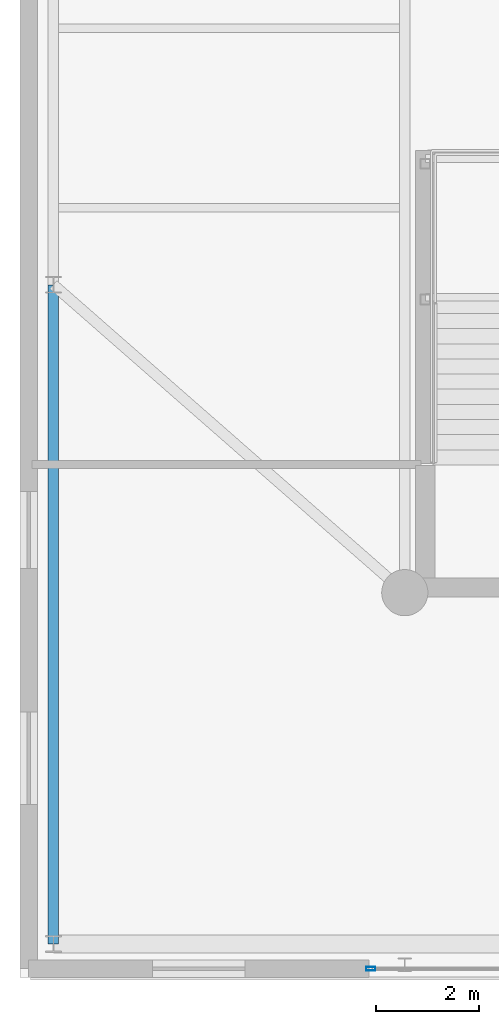
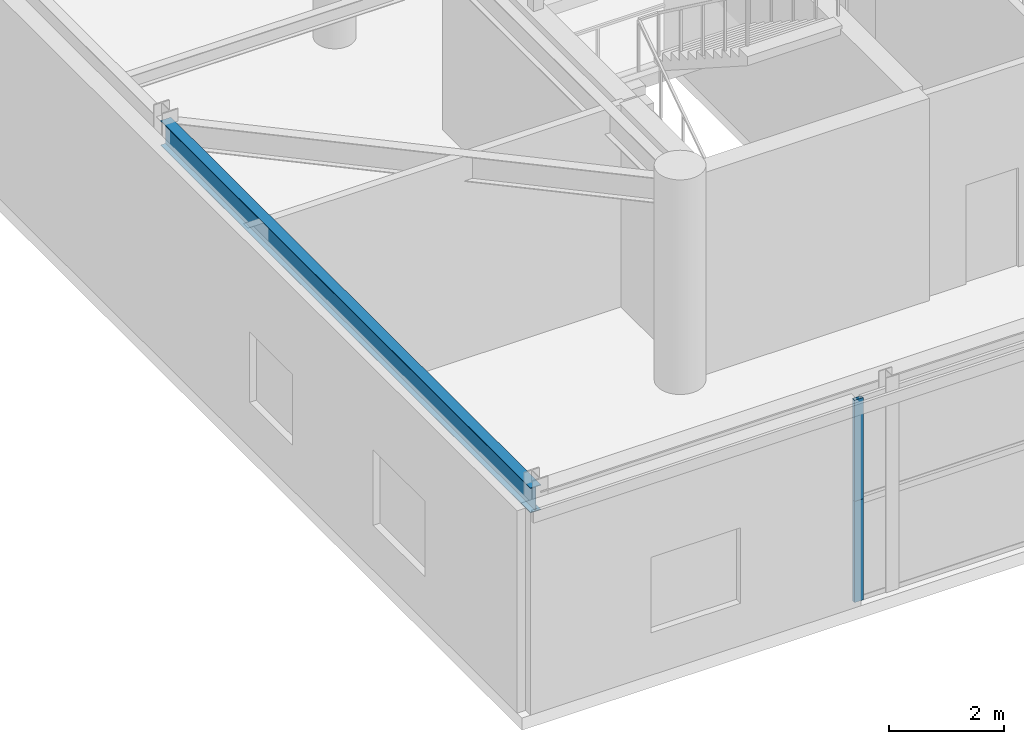
# One storey, part 6 of 26: 2 members, 1 beam, 2 elements without a shape of their own.
"""IFC4 building model written with IfcOpenShell, lengths in metres."""

from ifc_helpers import new_model, si_unit, direction, frame, origin, origin_2d, place, context, subcontext, project, spatial, hollow_rectangle, i_section, extrude, source, transform, mapped, material, layer, layer_set, material_profile, profile_set, type_object, element, aggregate, save


model = new_model("IFC4")

# Units and contexts
model_context = context("Model", 3, precision=1e-05, world=origin(), true_north=direction((0.0, 1.0)))
body_context = subcontext(model_context, "Body", "Model", "MODEL_VIEW")
ifc_project = project(units=[si_unit("LENGTHUNIT", "METRE"), si_unit("AREAUNIT", "SQUARE_METRE"), si_unit("VOLUMEUNIT", "CUBIC_METRE"), si_unit("PLANEANGLEUNIT", "RADIAN"), si_unit("MASSUNIT", "GRAM", prefix="KILO")], contexts=[model_context])

# Site, building, storey
site_placement = place(None, origin())
site = spatial("IfcSite", under=ifc_project, at=site_placement, CompositionType="ELEMENT")
building_placement = place(site_placement, origin())
building = spatial("IfcBuilding", under=site, at=building_placement, Name="Taldren Reach Tower", CompositionType="ELEMENT")
storey_placement = place(building_placement, frame((0.0, 0.0, 8.39990234375)))
storey = spatial("IfcBuildingStorey", under=building, at=storey_placement, Name="L02", CompositionType="ELEMENT", Elevation=8.39990234375)

# Beam
ifc_material_1 = material(Name="Steel Gr 350 (350PLUS)", Category="steel")
ifc_material_profile_1 = material_profile(ifc_material_1, i_section(OverallWidth=0.208984375, OverallDepth=0.528076171875, WebThickness=0.009521484375, FlangeThickness=0.01318359375, at=origin_2d()), Name="530UB82.0")
ifc_profile_set_1 = profile_set([ifc_material_profile_1], Name="Steel Gr 350 (350PLUS)")
beam_type = type_object("IfcBeamType", Name="SP-UB530B", PredefinedType="SPANDREL", material=ifc_profile_set_1)
shared_shape_1 = source(origin(), body_context, "Body", "SweptSolid", [
    extrude(i_section(OverallWidth=0.208984375, OverallDepth=0.528076171875, WebThickness=0.009521484375, FlangeThickness=0.01318359375, at=origin_2d()), origin(), (0.0, 0.0, 1.0), 12.85009765625),
])
beam_placement = place(storey_placement, frame((0.64990234375, 0.64990234375, 4.026123046875), z_axis=(0.0, 1.0, 0.0), x_axis=(-1.0, 0.0, 0.0)))
element("IfcBeam", 1, at=beam_placement, inside=storey, type_object=beam_type, Name="Podium beam L02-PD12", PredefinedType="SPANDREL", context=body_context, shape_type="MappedRepresentation", body=[
    mapped(shared_shape_1, transform((0.0, 0.0, 0.0), scale=1.0)),
])

# Curtain wall, member
ifc_material_2 = material(Name="Aluminium and Low-E Glass Unitised System", Category="aluminium")
ifc_layer = layer(ifc_material_2, 0.159912109375)
ifc_layer_set = layer_set([ifc_layer], Name="Aluminium and Low-E Glass Unitised System")
curtain_wall_type = type_object("IfcCurtainWallType", Name="CW-SYS-1", PredefinedType="NOTDEFINED", material=ifc_layer_set)
curtain_wall_1_placement = place(storey_placement, origin())
curtain_wall_1 = element("IfcCurtainWall", 2, at=curtain_wall_1_placement, inside=storey, type_object=curtain_wall_type, Name="Unitised curtain wall CW1-L02-S1", PredefinedType="NOTDEFINED")
ifc_material_3 = material(Name="Anodised Aluminium 6063-T6", Category="aluminium")
ifc_material_profile_2 = material_profile(ifc_material_3, hollow_rectangle(XDim=0.070068359375, YDim=0.179931640625, WallThickness=0.00390625, at=origin_2d()), Name="ALU-180x70x4RHS")
ifc_profile_set_2 = profile_set([ifc_material_profile_2], Name="Anodised Aluminium 6063-T6")
member_type = type_object("IfcMemberType", Name="CW-MUL-180", PredefinedType="MULLION", material=ifc_profile_set_2)
shared_shape_2 = source(origin(), body_context, "Body", "SweptSolid", [
    extrude(hollow_rectangle(XDim=0.070068359375, YDim=0.179931640625, WallThickness=0.00390625, at=origin_2d()), origin(), (0.0, 0.0, 1.0), 2.14501953125),
])
member_1_placement = place(storey_placement, frame((6.8349609375, 0.169921875, 0.0), z_axis=(0.0, 0.0, 1.0), x_axis=(0.0, 1.0, 0.0)))
member_1 = element("IfcMember", 3, at=member_1_placement, type_object=member_type, Name="CW-1 mullion 1", PredefinedType="MULLION", context=body_context, shape_type="MappedRepresentation", body=[
    mapped(shared_shape_2, transform((0.0, 0.0, 0.0), scale=1.0)),
])
aggregate(curtain_wall_1, [member_1])

curtain_wall_2_placement = place(storey_placement, origin())
curtain_wall_2 = element("IfcCurtainWall", 4, at=curtain_wall_2_placement, inside=storey, type_object=curtain_wall_type, Name="Unitised curtain wall CW1-L02-S1-T2", PredefinedType="NOTDEFINED")
member_2_placement = place(storey_placement, frame((6.8349609375, 0.169921875, 2.14501953125), z_axis=(0.0, 0.0, 1.0), x_axis=(0.0, 1.0, 0.0)))
member_2 = element("IfcMember", 5, at=member_2_placement, type_object=member_type, Name="CW-1 mullion 1", PredefinedType="MULLION", context=body_context, shape_type="MappedRepresentation", body=[
    mapped(shared_shape_2, transform((0.0, 0.0, 0.0), scale=1.0)),
])
aggregate(curtain_wall_2, [member_2])

save(model, "model.ifc")
